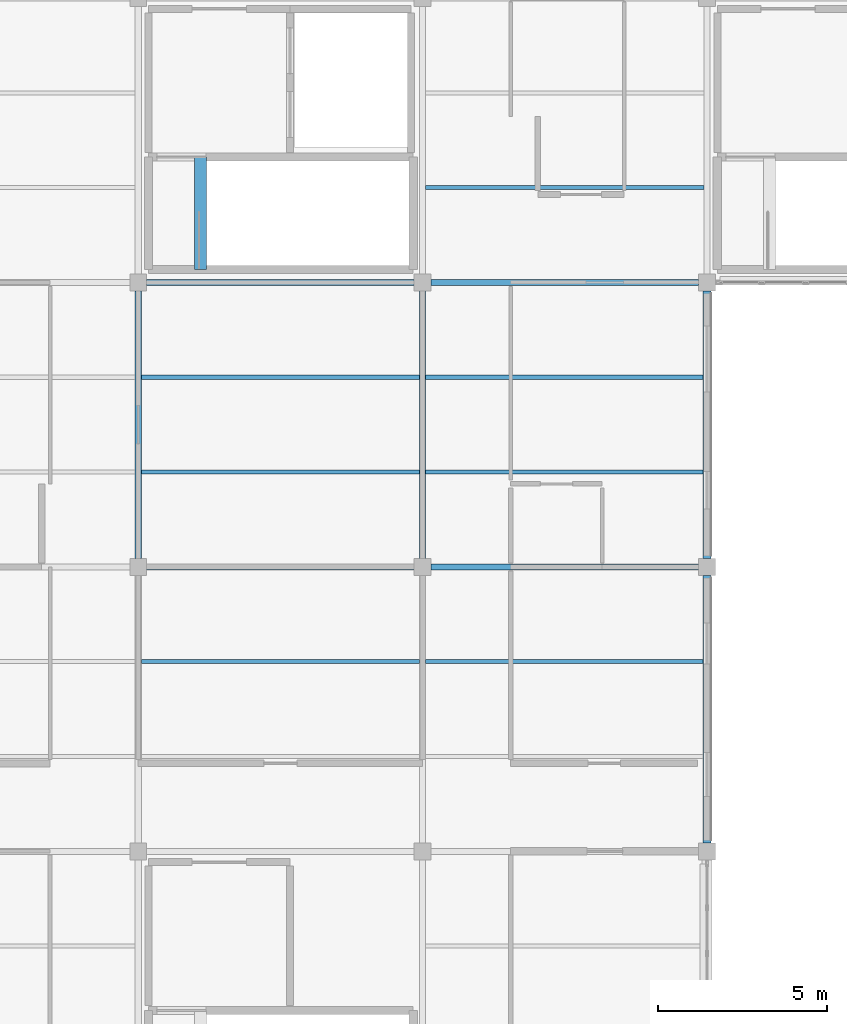
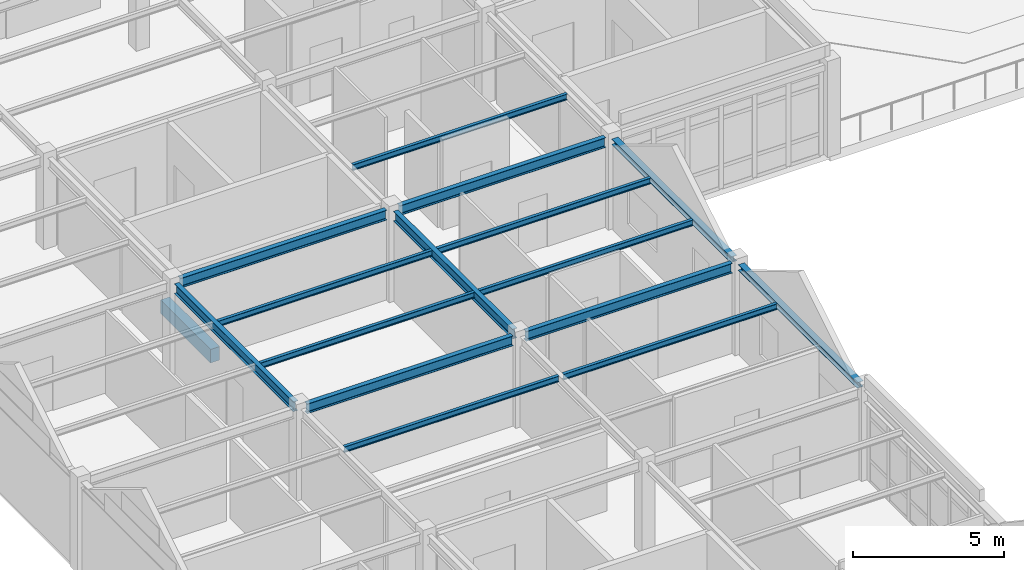
# One storey, part 17 of 45: 16 beams.
"""IFC4 building model written with IfcOpenShell, lengths in metres."""

from ifc_helpers import new_model, si_unit, direction, frame, origin, origin_2d, place, context, subcontext, project, spatial, rectangle, i_section, extrude, material, material_profile, profile_set, type_object, element, save


model = new_model("IFC4")

# Units and contexts
model_context = context("Model", 3, precision=1e-05, world=origin(), true_north=direction((0.0, 1.0)))
body_context = subcontext(model_context, "Body", "Model", "MODEL_VIEW")
ifc_project = project(units=[si_unit("LENGTHUNIT", "METRE"), si_unit("AREAUNIT", "SQUARE_METRE"), si_unit("VOLUMEUNIT", "CUBIC_METRE"), si_unit("PLANEANGLEUNIT", "RADIAN"), si_unit("MASSUNIT", "GRAM", prefix="KILO")], contexts=[model_context])

# Site, building, storey
site_placement = place(None, origin())
site = spatial("IfcSite", under=ifc_project, at=site_placement, CompositionType="ELEMENT")
building_placement = place(site_placement, origin())
building = spatial("IfcBuilding", under=site, at=building_placement, Name="Bramfleet General Hospital", CompositionType="ELEMENT")
storey_placement = place(building_placement, frame((0.0, 0.0, 30.300048828125)))
storey = spatial("IfcBuildingStorey", under=building, at=storey_placement, Name="L07", CompositionType="ELEMENT", Elevation=30.300048828125)

# Beams
ifc_material_1 = material(Name="Steel S355", Category="steel")
ifc_material_profile_1 = material_profile(ifc_material_1, i_section(OverallWidth=0.239990234375, OverallDepth=0.22998046875, WebThickness=0.007568359375, FlangeThickness=0.011962890625, FilletRadius=0.02099609375, at=origin_2d()), Name="HEA 240")
ifc_profile_set_1 = profile_set([ifc_material_profile_1], Name="Steel S355")
beam_type_1 = type_object("IfcBeamType", Name="BM-HEA240", PredefinedType="SPANDREL", material=ifc_profile_set_1)
for number, where, z_axis, x_axis, name in (
    (1, (117.60009765625, 75.85009765625, 3.544921875), (0.0, 1.0, 0.0), (-1.0, 0.0, 0.0), "L07 Grid Beam Y 14-09"),
    (2, (117.60009765625, 84.25, 3.544921875), (0.0, 1.0, 0.0), (-1.0, 0.0, 0.0), "L07 Grid Beam Y 14-10"),
):
    element("IfcBeam", number, at=place(storey_placement, frame(where, z_axis=z_axis, x_axis=x_axis)), inside=storey, type_object=beam_type_1, Name=name, PredefinedType="SPANDREL", context=body_context, shape_type="SweptSolid", body=[
        extrude(i_section(OverallWidth=0.239990234375, OverallDepth=0.22998046875, WebThickness=0.007568359375, FlangeThickness=0.011962890625, FilletRadius=0.02099609375, at=origin_2d()), origin(), (0.0, 0.0, 1.0), 7.89990234375),
    ])
ifc_material_profile_2 = material_profile(ifc_material_1, i_section(OverallWidth=0.1201171875, OverallDepth=0.239990234375, WebThickness=0.006103515625, FlangeThickness=0.009765625, FilletRadius=0.014892578125, at=origin_2d()), Name="IPE 240")
ifc_profile_set_2 = profile_set([ifc_material_profile_2], Name="Steel S355")
beam_type_2 = type_object("IfcBeamType", Name="BM-IPE240", PredefinedType="JOIST", material=ifc_profile_set_2)
for number, where, z_axis, x_axis, name in (
    (3, (100.889892578125, 81.199951171875, 3.5400390625), (1.0, 0.0, 0.0), (0.0, 1.0, 0.0), "L07 Secondary Joist 12-09-2"),
    (4, (100.889892578125, 86.800048828125, 3.5400390625), (1.0, 0.0, 0.0), (0.0, 1.0, 0.0), "L07 Secondary Joist 12-10-1"),
    (5, (100.889892578125, 89.60009765625, 3.5400390625), (1.0, 0.0, 0.0), (0.0, 1.0, 0.0), "L07 Secondary Joist 12-10-2"),
):
    element("IfcBeam", number, at=place(storey_placement, frame(where, z_axis=z_axis, x_axis=x_axis)), inside=storey, type_object=beam_type_2, Name=name, PredefinedType="JOIST", context=body_context, shape_type="SweptSolid", body=[
        extrude(i_section(OverallWidth=0.1201171875, OverallDepth=0.239990234375, WebThickness=0.006103515625, FlangeThickness=0.009765625, FilletRadius=0.014892578125, at=origin_2d()), origin(), (0.0, 0.0, 1.0), 8.22021484375),
    ])
for number, where, z_axis, x_axis, name in (
    (6, (109.2900390625, 81.199951171875, 3.5400390625), (1.0, 0.0, 0.0), (0.0, 1.0, 0.0), "L07 Secondary Joist 13-09-2"),
    (7, (109.2900390625, 86.800048828125, 3.5400390625), (1.0, 0.0, 0.0), (0.0, 1.0, 0.0), "L07 Secondary Joist 13-10-1"),
    (8, (109.2900390625, 89.60009765625, 3.5400390625), (1.0, 0.0, 0.0), (0.0, 1.0, 0.0), "L07 Secondary Joist 13-10-2"),
):
    element("IfcBeam", number, at=place(storey_placement, frame(where, z_axis=z_axis, x_axis=x_axis)), inside=storey, type_object=beam_type_2, Name=name, PredefinedType="JOIST", context=body_context, shape_type="SweptSolid", body=[
        extrude(i_section(OverallWidth=0.1201171875, OverallDepth=0.239990234375, WebThickness=0.006103515625, FlangeThickness=0.009765625, FilletRadius=0.014892578125, at=origin_2d()), origin(), (0.0, 0.0, 1.0), 8.18994140625),
    ])
beam_1_placement = place(storey_placement, frame((109.2900390625, 95.199951171875, 3.5400390625), z_axis=(1.0, 0.0, 0.0), x_axis=(0.0, 1.0, 0.0)))
element("IfcBeam", 9, at=beam_1_placement, inside=storey, type_object=beam_type_2, Name="L07 Secondary Joist 13-11-1", PredefinedType="JOIST", context=body_context, shape_type="SweptSolid", body=[
    extrude(i_section(OverallWidth=0.1201171875, OverallDepth=0.239990234375, WebThickness=0.006103515625, FlangeThickness=0.009765625, FilletRadius=0.014892578125, at=origin_2d()), origin(), (0.0, 0.0, 1.0), 8.219970703125),
])
ifc_material_profile_3 = material_profile(ifc_material_1, i_section(OverallWidth=0.179931640625, OverallDepth=0.39990234375, WebThickness=0.008544921875, FlangeThickness=0.013427734375, FilletRadius=0.02099609375, at=origin_2d()), Name="IPE 400")
ifc_profile_set_3 = profile_set([ifc_material_profile_3], Name="Steel S355")
beam_type_3 = type_object("IfcBeamType", Name="BM-IPE400", PredefinedType="BEAM", material=ifc_profile_set_3)
for number, where, z_axis, x_axis, name in (
    (10, (101.050048828125, 84.0, 3.4599609375), (1.0, 0.0, 0.0), (0.0, 1.0, 0.0), "L07 Grid Beam X 12-10"),
    (11, (101.050048828125, 92.39990234375, 3.4599609375), (1.0, 0.0, 0.0), (0.0, 1.0, 0.0), "L07 Grid Beam X 12-11"),
):
    element("IfcBeam", number, at=place(storey_placement, frame(where, z_axis=z_axis, x_axis=x_axis)), inside=storey, type_object=beam_type_3, Name=name, PredefinedType="BEAM", context=body_context, shape_type="SweptSolid", body=[
        extrude(i_section(OverallWidth=0.179931640625, OverallDepth=0.39990234375, WebThickness=0.008544921875, FlangeThickness=0.013427734375, FilletRadius=0.02099609375, at=origin_2d()), origin(), (0.0, 0.0, 1.0), 7.89990234375),
    ])
for number, where, z_axis, x_axis, name in (
    (12, (109.449951171875, 84.0, 3.4599609375), (1.0, 0.0, 0.0), (0.0, 1.0, 0.0), "L07 Grid Beam X 13-10"),
    (13, (109.449951171875, 92.39990234375, 3.4599609375), (1.0, 0.0, 0.0), (0.0, 1.0, 0.0), "L07 Grid Beam X 13-11"),
):
    element("IfcBeam", number, at=place(storey_placement, frame(where, z_axis=z_axis, x_axis=x_axis)), inside=storey, type_object=beam_type_3, Name=name, PredefinedType="BEAM", context=body_context, shape_type="SweptSolid", body=[
        extrude(i_section(OverallWidth=0.179931640625, OverallDepth=0.39990234375, WebThickness=0.008544921875, FlangeThickness=0.013427734375, FilletRadius=0.02099609375, at=origin_2d()), origin(), (0.0, 0.0, 1.0), 7.900146484375),
    ])
for number, where, z_axis, x_axis, name in (
    (14, (100.800048828125, 84.25, 3.4599609375), (0.0, 1.0, 0.0), (-1.0, 0.0, 0.0), "L07 Grid Beam Y 12-10"),
    (15, (109.199951171875, 84.25, 3.4599609375), (0.0, 1.0, 0.0), (-1.0, 0.0, 0.0), "L07 Grid Beam Y 13-10"),
):
    element("IfcBeam", number, at=place(storey_placement, frame(where, z_axis=z_axis, x_axis=x_axis)), inside=storey, type_object=beam_type_3, Name=name, PredefinedType="BEAM", context=body_context, shape_type="SweptSolid", body=[
        extrude(i_section(OverallWidth=0.179931640625, OverallDepth=0.39990234375, WebThickness=0.008544921875, FlangeThickness=0.013427734375, FilletRadius=0.02099609375, at=origin_2d()), origin(), (0.0, 0.0, 1.0), 7.89990234375),
    ])
ifc_material_2 = material(Name="Concrete C35/45", Category="concrete")
ifc_material_profile_4 = material_profile(ifc_material_2, rectangle(XDim=0.35009765625, YDim=0.550048828125, at=origin_2d()), Name="RC BM 550x350")
ifc_profile_set_4 = profile_set([ifc_material_profile_4], Name="Concrete C35/45")
beam_type_4 = type_object("IfcBeamType", Name="BM-RC550", PredefinedType="BEAM", material=ifc_profile_set_4)
beam_2_placement = place(storey_placement, frame((102.639892578125, 92.780029296875, -0.275146484375), z_axis=(0.0, 1.0, 0.0), x_axis=(-1.0, 0.0, 0.0)))
element("IfcBeam", 16, at=beam_2_placement, inside=storey, type_object=beam_type_4, Name="L07 C4 Stairwell Trimmer Beam", PredefinedType="BEAM", context=body_context, shape_type="SweptSolid", body=[
    extrude(rectangle(XDim=0.35009765625, YDim=0.550048828125, at=origin_2d()), origin(), (0.0, 0.0, 1.0), 3.320068359375),
])

save(model, "model.ifc")
